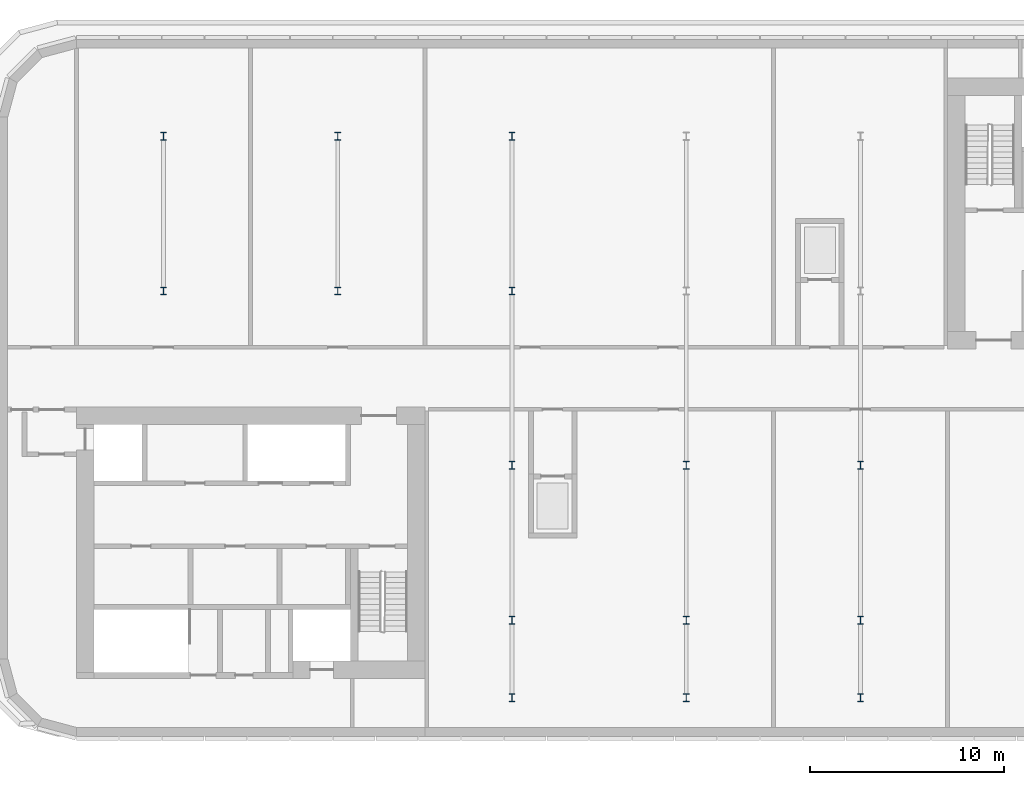
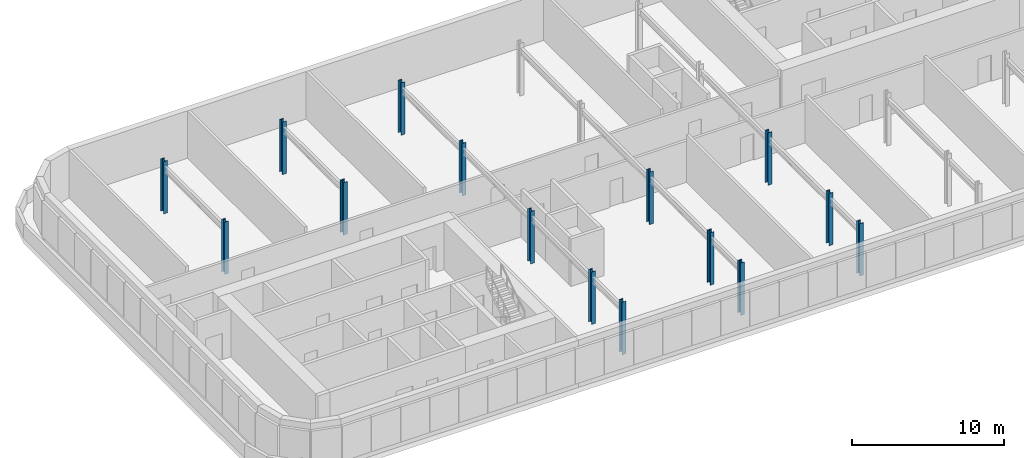
# One storey, part 1 of 10: 15 columns.
"""IFC4 building model written with IfcOpenShell, lengths in metres."""

from ifc_helpers import new_model, si_unit, direction, frame, origin, origin_2d, place, context, subcontext, project, spatial, i_section, extrude, material, material_profile, profile_set, type_object, element, save


model = new_model("IFC4")

# Units and contexts
model_context = context("Model", 3, precision=1e-05, world=origin(), true_north=direction((0.0, 1.0)))
body_context = subcontext(model_context, "Body", "Model", "MODEL_VIEW")
ifc_project = project(units=[si_unit("LENGTHUNIT", "METRE"), si_unit("AREAUNIT", "SQUARE_METRE"), si_unit("VOLUMEUNIT", "CUBIC_METRE"), si_unit("PLANEANGLEUNIT", "RADIAN"), si_unit("MASSUNIT", "GRAM", prefix="KILO")], contexts=[model_context])

# Site, building, storey
site_placement = place(None, origin())
site = spatial("IfcSite", under=ifc_project, at=site_placement, CompositionType="ELEMENT")
building_placement = place(site_placement, origin())
building = spatial("IfcBuilding", under=site, at=building_placement, Name="Kajstack Hotel Tower", CompositionType="ELEMENT")
storey_placement = place(building_placement, frame((0.0, 0.0, 313.60009765625)))
storey = spatial("IfcBuildingStorey", under=building, at=storey_placement, Name="L79", CompositionType="ELEMENT", Elevation=313.60009765625)

# Columns
ifc_material = material(Name="Steel S355J2", Category="steel")
ifc_material_profile = material_profile(ifc_material, i_section(OverallWidth=0.300048828125, OverallDepth=0.39990234375, WebThickness=0.013427734375, FlangeThickness=0.02392578125, FilletRadius=0.027099609375, at=origin_2d()), Name="HEB 400")
ifc_profile_set = profile_set([ifc_material_profile], Name="Steel S355J2")
column_type = type_object("IfcColumnType", Name="CC1 HEB 400", PredefinedType="COLUMN", material=ifc_profile_set)
for number, where, z_axis, x_axis, name in (
    (1, (-27.0, 4.5, 0.0), (0.0, 0.0, 1.0), (1.0, 0.0, 0.0), "S-col-c-L79--27p0+4p5"),
    (2, (-27.0, 12.5, 0.0), (0.0, 0.0, 1.0), (1.0, 0.0, 0.0), "S-col-c-L79--27p0+12p5"),
    (3, (-18.0, 4.5, 0.0), (0.0, 0.0, 1.0), (1.0, 0.0, 0.0), "S-col-c-L79--18p0+4p5"),
    (4, (-18.0, 12.5, 0.0), (0.0, 0.0, 1.0), (1.0, 0.0, 0.0), "S-col-c-L79--18p0+12p5"),
    (5, (-9.0, -16.5, 0.0), (0.0, 0.0, 1.0), (1.0, 0.0, 0.0), "S-col-c-L79--9p0-16p5"),
    (6, (-9.0, -12.5, 0.0), (0.0, 0.0, 1.0), (1.0, 0.0, 0.0), "S-col-c-L79--9p0-12p5"),
    (7, (-9.0, -4.5, 0.0), (0.0, 0.0, 1.0), (1.0, 0.0, 0.0), "S-col-c-L79--9p0-4p5"),
    (8, (-9.0, 4.5, 0.0), (0.0, 0.0, 1.0), (1.0, 0.0, 0.0), "S-col-c-L79--9p0+4p5"),
    (9, (-9.0, 12.5, 0.0), (0.0, 0.0, 1.0), (1.0, 0.0, 0.0), "S-col-c-L79--9p0+12p5"),
    (10, (0.0, -16.5, 0.0), (0.0, 0.0, 1.0), (1.0, 0.0, 0.0), "S-col-c-L79-+0p0-16p5"),
    (11, (0.0, -12.5, 0.0), (0.0, 0.0, 1.0), (1.0, 0.0, 0.0), "S-col-c-L79-+0p0-12p5"),
    (12, (0.0, -4.5, 0.0), (0.0, 0.0, 1.0), (1.0, 0.0, 0.0), "S-col-c-L79-+0p0-4p5"),
    (13, (9.0, -16.5, 0.0), (0.0, 0.0, 1.0), (1.0, 0.0, 0.0), "S-col-c-L79-+9p0-16p5"),
    (14, (9.0, -12.5, 0.0), (0.0, 0.0, 1.0), (1.0, 0.0, 0.0), "S-col-c-L79-+9p0-12p5"),
    (15, (9.0, -4.5, 0.0), (0.0, 0.0, 1.0), (1.0, 0.0, 0.0), "S-col-c-L79-+9p0-4p5"),
):
    element("IfcColumn", number, at=place(storey_placement, frame(where, z_axis=z_axis, x_axis=x_axis)), inside=storey, type_object=column_type, Name=name, PredefinedType="COLUMN", context=body_context, shape_type="SweptSolid", body=[
        extrude(i_section(OverallWidth=0.300048828125, OverallDepth=0.39990234375, WebThickness=0.013427734375, FlangeThickness=0.02392578125, FilletRadius=0.027099609375, at=origin_2d()), origin(), (0.0, 0.0, 1.0), 4.199951171875),
    ])

save(model, "model.ifc")
